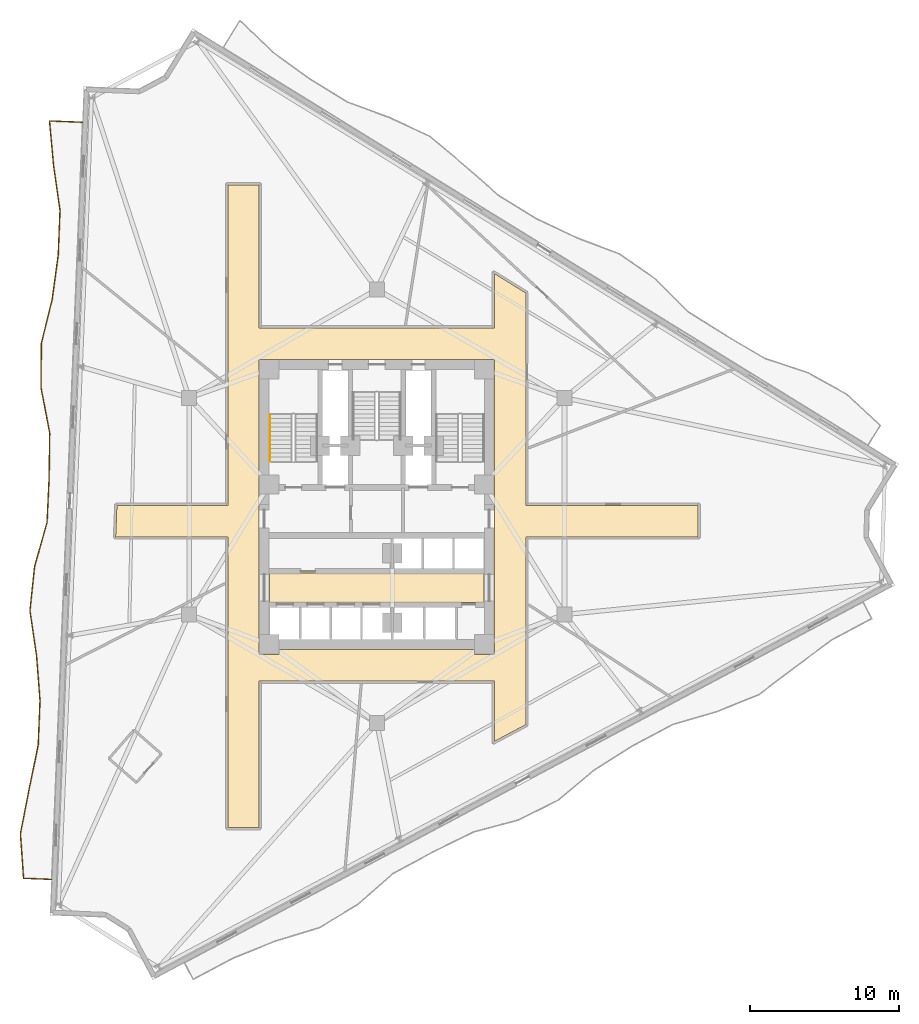
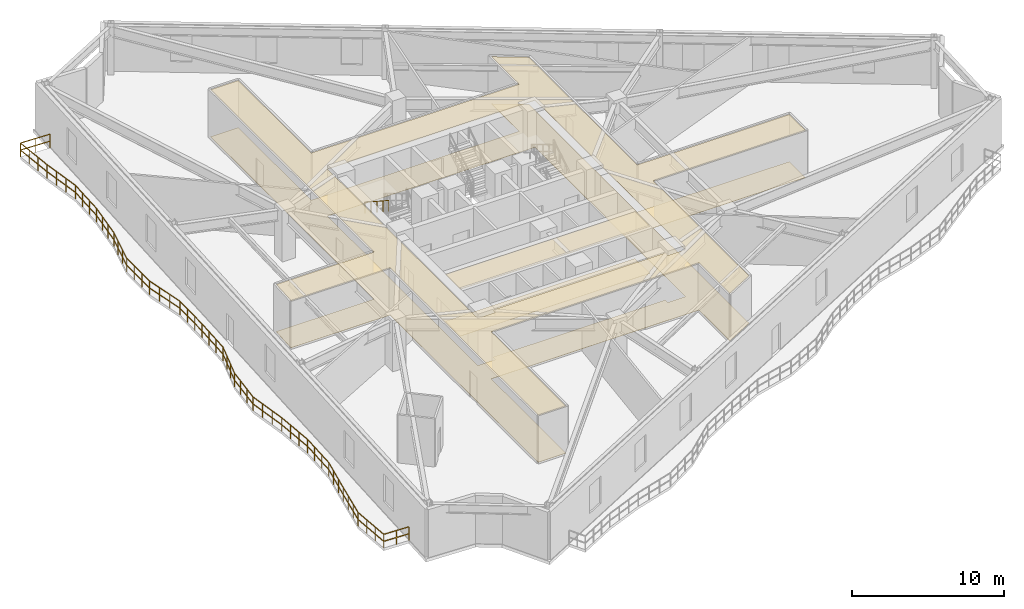
# One storey, part 10 of 12: 4 coverings, 2 railings.
"""IFC4 building model written with IfcOpenShell, lengths in metres."""

from ifc_helpers import new_model, si_unit, direction, frame, origin, origin_2d, place, context, subcontext, project, spatial, polyline, rectangle, outline, extrude, material, layer, layer_set, type_object, element, save


model = new_model("IFC4")

# Units and contexts
model_context = context("Model", 3, precision=1e-05, world=origin(), true_north=direction((0.0, 1.0)))
body_context = subcontext(model_context, "Body", "Model", "MODEL_VIEW")
ifc_project = project(units=[si_unit("LENGTHUNIT", "METRE"), si_unit("AREAUNIT", "SQUARE_METRE"), si_unit("VOLUMEUNIT", "CUBIC_METRE"), si_unit("PLANEANGLEUNIT", "RADIAN"), si_unit("MASSUNIT", "GRAM", prefix="KILO")], contexts=[model_context])

# Site, building, storey
site_placement = place(None, origin())
site = spatial("IfcSite", under=ifc_project, at=site_placement, CompositionType="ELEMENT")
building_placement = place(site_placement, origin())
building = spatial("IfcBuilding", under=site, at=building_placement, Name="Apsidion Concourse Tower", CompositionType="ELEMENT")
storey_placement = place(building_placement, frame((0.0, 0.0, 181.89990234375)))
storey = spatial("IfcBuildingStorey", under=building, at=storey_placement, Name="L42", CompositionType="ELEMENT", Elevation=181.89990234375)

# Coverings
ifc_material_1 = material(Name="Acoustic mineral fibre ceiling")
ifc_layer_1 = layer(ifc_material_1, 0.0400390625)
ifc_layer_set_1 = layer_set([ifc_layer_1], Name="Acoustic mineral fibre ceiling")
covering_type_1 = type_object("IfcCoveringType", Name="COV-CEIL-40", PredefinedType="CEILING", material=ifc_layer_set_1)
covering_1_placement = place(storey_placement, frame((0.0, 0.0, 3.75)))
element("IfcCovering", 1, at=covering_1_placement, inside=storey, type_object=covering_type_1, Name="L42 Acoustic Ceiling Grid 1", PredefinedType="CEILING", context=body_context, shape_type="SweptSolid", body=[
    extrude(outline(polyline([(-7.179931640625, -6.449951171875), (-7.179931640625, -4.47998046875), (7.179931640625, -4.47998046875), (7.179931640625, -6.449951171875), (-7.179931640625, -6.449951171875)])), origin(), (0.0, 0.0, 1.0), 0.0400390625),
])
covering_2_placement = place(storey_placement, frame((0.0, 0.0, 3.75)))
element("IfcCovering", 2, at=covering_2_placement, inside=storey, type_object=covering_type_1, Name="L42 Acoustic Ceiling Grid 2", PredefinedType="CEILING", context=body_context, shape_type="SweptSolid", body=[
    extrude(outline(polyline([(9.969970703125, -14.620849609375), (7.8701171875, -15.7373046875), (7.8701171875, -11.695068359375), (-7.8701171875, -11.695068359375), (-7.8701171875, -21.5), (-9.969970703125, -21.5), (-9.969970703125, -11.695068359375), (-9.969970703125, -2.050048828125), (-17.47314453125, -2.050048828125), (-17.387451171875, 0.050048828125), (-9.969970703125, 0.050048828125), (-9.969970703125, 11.919921875), (-9.969970703125, 21.5), (-7.8701171875, 21.5), (-7.8701171875, 11.919921875), (7.8701171875, 11.919921875), (7.8701171875, 15.559814453125), (9.969970703125, 14.264892578125), (9.969970703125, 11.919921875), (9.969970703125, 0.050048828125), (21.5, 0.050048828125), (21.5, -2.050048828125), (9.969970703125, -2.050048828125), (9.969970703125, -11.695068359375), (9.969970703125, -14.620849609375)]), holes=[polyline([(7.8701171875, -8.60009765625), (7.8701171875, -2.050048828125), (7.8701171875, 0.050048828125), (7.8701171875, 0.800048828125), (7.8701171875, 2.10009765625), (7.8701171875, 8.5), (7.8701171875, 9.800048828125), (7.8701171875, 9.820068359375), (7.85009765625, 9.820068359375), (6.550048828125, 9.820068359375), (-6.550048828125, 9.820068359375), (-7.85009765625, 9.820068359375), (-7.8701171875, 9.820068359375), (-7.8701171875, 9.800048828125), (-7.8701171875, 8.5), (-7.8701171875, 2.10009765625), (-7.8701171875, 0.800048828125), (-7.8701171875, 0.050048828125), (-7.8701171875, -2.050048828125), (-7.8701171875, -8.60009765625), (-7.8701171875, -9.594970703125), (-7.8701171875, -9.89990234375), (-7.869873046875, -9.902099609375), (-7.86962890625, -9.90380859375), (-7.869140625, -9.90576171875), (-7.868408203125, -9.90771484375), (-7.86767578125, -9.909423828125), (-7.86669921875, -9.9111328125), (-7.865478515625, -9.91259765625), (-7.864013671875, -9.9140625), (-7.86279296875, -9.91552734375), (-7.861083984375, -9.91650390625), (-7.859375, -9.91748046875), (-7.857666015625, -9.91845703125), (-7.855712890625, -9.919189453125), (-7.85400390625, -9.919677734375), (-7.85205078125, -9.919921875), (-7.85009765625, -9.919921875), (-6.550048828125, -9.919921875), (-6.548095703125, -9.919921875), (-6.546142578125, -9.919677734375), (-6.544189453125, -9.919189453125), (-6.542236328125, -9.91845703125), (-6.54052734375, -9.91748046875), (-6.538818359375, -9.91650390625), (-6.537353515625, -9.91552734375), (-6.535888671875, -9.9140625), (-6.534423828125, -9.91259765625), (-6.533447265625, -9.9111328125), (-6.532470703125, -9.909423828125), (-6.531494140625, -9.90771484375), (-6.531005859375, -9.90576171875), (-6.530517578125, -9.90380859375), (-6.530029296875, -9.902099609375), (-6.530029296875, -9.89990234375), (-6.530029296875, -9.594970703125), (6.530029296875, -9.594970703125), (6.530029296875, -9.89990234375), (6.530029296875, -9.902099609375), (6.530517578125, -9.90380859375), (6.531005859375, -9.90576171875), (6.531494140625, -9.90771484375), (6.532470703125, -9.909423828125), (6.533447265625, -9.9111328125), (6.534423828125, -9.91259765625), (6.535888671875, -9.9140625), (6.537353515625, -9.91552734375), (6.538818359375, -9.91650390625), (6.54052734375, -9.91748046875), (6.542236328125, -9.91845703125), (6.544189453125, -9.919189453125), (6.546142578125, -9.919677734375), (6.548095703125, -9.919921875), (6.550048828125, -9.919921875), (7.85009765625, -9.919921875), (7.85205078125, -9.919921875), (7.85400390625, -9.919677734375), (7.855712890625, -9.919189453125), (7.857666015625, -9.91845703125), (7.859375, -9.91748046875), (7.861083984375, -9.91650390625), (7.86279296875, -9.91552734375), (7.864013671875, -9.9140625), (7.865478515625, -9.91259765625), (7.86669921875, -9.9111328125), (7.86767578125, -9.909423828125), (7.868408203125, -9.90771484375), (7.869140625, -9.90576171875), (7.86962890625, -9.90380859375), (7.869873046875, -9.902099609375), (7.8701171875, -9.89990234375), (7.8701171875, -9.594970703125), (7.8701171875, -8.60009765625)])]), origin(), (0.0, 0.0, 1.0), 0.0400390625),
])
ifc_material_2 = material(Name="Honed travertine floor finish", Category="masonry")
ifc_layer_2 = layer(ifc_material_2, 0.02001953125)
ifc_layer_set_2 = layer_set([ifc_layer_2], Name="Honed travertine floor finish")
covering_type_2 = type_object("IfcCoveringType", Name="COV-FLOR-20", PredefinedType="FLOORING", material=ifc_layer_set_2)
covering_3_placement = place(storey_placement, origin())
element("IfcCovering", 3, at=covering_3_placement, inside=storey, type_object=covering_type_2, Name="L42 Honed Travertine Floor Finish 1", PredefinedType="FLOORING", context=body_context, shape_type="SweptSolid", body=[
    extrude(outline(polyline([(-7.179931640625, -6.449951171875), (-7.179931640625, -4.47998046875), (7.179931640625, -4.47998046875), (7.179931640625, -6.449951171875), (-7.179931640625, -6.449951171875)])), origin(), (0.0, 0.0, 1.0), 0.02001953125),
])
covering_4_placement = place(storey_placement, origin())
element("IfcCovering", 4, at=covering_4_placement, inside=storey, type_object=covering_type_2, Name="L42 Honed Travertine Floor Finish 2", PredefinedType="FLOORING", context=body_context, shape_type="SweptSolid", body=[
    extrude(outline(polyline([(9.969970703125, -14.620849609375), (7.8701171875, -15.7373046875), (7.8701171875, -11.695068359375), (-7.8701171875, -11.695068359375), (-7.8701171875, -21.5), (-9.969970703125, -21.5), (-9.969970703125, -11.695068359375), (-9.969970703125, -2.050048828125), (-17.47314453125, -2.050048828125), (-17.387451171875, 0.050048828125), (-9.969970703125, 0.050048828125), (-9.969970703125, 11.919921875), (-9.969970703125, 21.5), (-7.8701171875, 21.5), (-7.8701171875, 11.919921875), (7.8701171875, 11.919921875), (7.8701171875, 15.559814453125), (9.969970703125, 14.264892578125), (9.969970703125, 11.919921875), (9.969970703125, 0.050048828125), (21.5, 0.050048828125), (21.5, -2.050048828125), (9.969970703125, -2.050048828125), (9.969970703125, -11.695068359375), (9.969970703125, -14.620849609375)]), holes=[polyline([(7.8701171875, -8.60009765625), (7.8701171875, -2.050048828125), (7.8701171875, 0.050048828125), (7.8701171875, 0.800048828125), (7.8701171875, 2.10009765625), (7.8701171875, 8.5), (7.8701171875, 9.800048828125), (7.8701171875, 9.820068359375), (7.85009765625, 9.820068359375), (6.550048828125, 9.820068359375), (-6.550048828125, 9.820068359375), (-7.85009765625, 9.820068359375), (-7.8701171875, 9.820068359375), (-7.8701171875, 9.800048828125), (-7.8701171875, 8.5), (-7.8701171875, 2.10009765625), (-7.8701171875, 0.800048828125), (-7.8701171875, 0.050048828125), (-7.8701171875, -2.050048828125), (-7.8701171875, -8.60009765625), (-7.8701171875, -9.594970703125), (-7.8701171875, -9.89990234375), (-7.869873046875, -9.902099609375), (-7.86962890625, -9.90380859375), (-7.869140625, -9.90576171875), (-7.868408203125, -9.90771484375), (-7.86767578125, -9.909423828125), (-7.86669921875, -9.9111328125), (-7.865478515625, -9.91259765625), (-7.864013671875, -9.9140625), (-7.86279296875, -9.91552734375), (-7.861083984375, -9.91650390625), (-7.859375, -9.91748046875), (-7.857666015625, -9.91845703125), (-7.855712890625, -9.919189453125), (-7.85400390625, -9.919677734375), (-7.85205078125, -9.919921875), (-7.85009765625, -9.919921875), (-6.550048828125, -9.919921875), (-6.548095703125, -9.919921875), (-6.546142578125, -9.919677734375), (-6.544189453125, -9.919189453125), (-6.542236328125, -9.91845703125), (-6.54052734375, -9.91748046875), (-6.538818359375, -9.91650390625), (-6.537353515625, -9.91552734375), (-6.535888671875, -9.9140625), (-6.534423828125, -9.91259765625), (-6.533447265625, -9.9111328125), (-6.532470703125, -9.909423828125), (-6.531494140625, -9.90771484375), (-6.531005859375, -9.90576171875), (-6.530517578125, -9.90380859375), (-6.530029296875, -9.902099609375), (-6.530029296875, -9.89990234375), (-6.530029296875, -9.594970703125), (6.530029296875, -9.594970703125), (6.530029296875, -9.89990234375), (6.530029296875, -9.902099609375), (6.530517578125, -9.90380859375), (6.531005859375, -9.90576171875), (6.531494140625, -9.90771484375), (6.532470703125, -9.909423828125), (6.533447265625, -9.9111328125), (6.534423828125, -9.91259765625), (6.535888671875, -9.9140625), (6.537353515625, -9.91552734375), (6.538818359375, -9.91650390625), (6.54052734375, -9.91748046875), (6.542236328125, -9.91845703125), (6.544189453125, -9.919189453125), (6.546142578125, -9.919677734375), (6.548095703125, -9.919921875), (6.550048828125, -9.919921875), (7.85009765625, -9.919921875), (7.85205078125, -9.919921875), (7.85400390625, -9.919677734375), (7.855712890625, -9.919189453125), (7.857666015625, -9.91845703125), (7.859375, -9.91748046875), (7.861083984375, -9.91650390625), (7.86279296875, -9.91552734375), (7.864013671875, -9.9140625), (7.865478515625, -9.91259765625), (7.86669921875, -9.9111328125), (7.86767578125, -9.909423828125), (7.868408203125, -9.90771484375), (7.869140625, -9.90576171875), (7.86962890625, -9.90380859375), (7.869873046875, -9.902099609375), (7.8701171875, -9.89990234375), (7.8701171875, -9.594970703125), (7.8701171875, -8.60009765625)])]), origin(), (0.0, 0.0, 1.0), 0.02001953125),
])

# Railings
ifc_material_3 = material(Name="Brushed stainless steel 316", Category="steel")
railing_type_1 = type_object("IfcRailingType", Name="RL-BAL-1120", PredefinedType="BALUSTRADE", material=ifc_material_3)
railing_1_placement = place(storey_placement, frame((-21.777587890625, -24.97802734375, 0.0)))
element("IfcRailing", 5, at=railing_1_placement, inside=storey, type_object=railing_type_1, Name="L42 Face 1 Rippling Balcony Balustrade", PredefinedType="BALUSTRADE", context=body_context, shape_type="SweptSolid", body=[
    extrude(rectangle(XDim=0.048095703125, YDim=0.048095703125, at=origin_2d()), frame((0.0, 0.0, 1.09619140625), z_axis=(-0.999170989666, 0.040710359988, 0.0), x_axis=(-0.040710359988, -0.999170989666, 0.0)), (0.0, 0.0, 1.0), 1.864990234375),
    extrude(rectangle(XDim=0.048095703125, YDim=0.048095703125, at=origin_2d()), frame((0.0, 0.0, 0.5361328125), z_axis=(-0.999170989666, 0.040710359988, 0.0), x_axis=(-0.040710359988, -0.999170989666, 0.0)), (0.0, 0.0, 1.0), 1.864990234375),
    extrude(rectangle(XDim=0.048095703125, YDim=0.048095703125, at=origin_2d()), frame((-1.863525390625, 0.075927734375, 1.09619140625), z_axis=(-0.069628382838, 0.997572998985, 0.0), x_axis=(-0.997572998985, -0.069628382838, 0.0)), (0.0, 0.0, 1.0), 3.00146484375),
    extrude(rectangle(XDim=0.048095703125, YDim=0.048095703125, at=origin_2d()), frame((-1.863525390625, 0.075927734375, 0.5361328125), z_axis=(-0.069628382838, 0.997572998985, 0.0), x_axis=(-0.997572998985, -0.069628382838, 0.0)), (0.0, 0.0, 1.0), 3.00146484375),
    extrude(rectangle(XDim=0.048095703125, YDim=0.048095703125, at=origin_2d()), frame((-2.072509765625, 3.070068359375, 1.09619140625), z_axis=(0.192209774643, 0.981353862035, 0.0), x_axis=(-0.981353862035, 0.192209774643, 0.0)), (0.0, 0.0, 1.0), 3.017822265625),
    extrude(rectangle(XDim=0.048095703125, YDim=0.048095703125, at=origin_2d()), frame((-2.072509765625, 3.070068359375, 0.5361328125), z_axis=(0.192209774643, 0.981353862035, 0.0), x_axis=(-0.981353862035, 0.192209774643, 0.0)), (0.0, 0.0, 1.0), 3.017822265625),
    extrude(rectangle(XDim=0.048095703125, YDim=0.048095703125, at=origin_2d()), frame((-1.492431640625, 6.03173828125, 1.09619140625), z_axis=(0.201440969487, 0.979500656361, 0.0), x_axis=(-0.979500656361, 0.201440969487, 0.0)), (0.0, 0.0, 1.0), 3.022705078125),
    extrude(rectangle(XDim=0.048095703125, YDim=0.048095703125, at=origin_2d()), frame((-1.492431640625, 6.03173828125, 0.5361328125), z_axis=(0.201440969487, 0.979500656361, 0.0), x_axis=(-0.979500656361, 0.201440969487, 0.0)), (0.0, 0.0, 1.0), 3.022705078125),
    extrude(rectangle(XDim=0.048095703125, YDim=0.048095703125, at=origin_2d()), frame((-0.883544921875, 8.992431640625, 1.09619140625), z_axis=(0.040759023988, 0.999169005706, 0.0), x_axis=(-0.999169005706, 0.040759023988, 0.0)), (0.0, 0.0, 1.0), 2.98291015625),
    extrude(rectangle(XDim=0.048095703125, YDim=0.048095703125, at=origin_2d()), frame((-0.883544921875, 8.992431640625, 0.5361328125), z_axis=(0.040759023988, 0.999169005706, 0.0), x_axis=(-0.999169005706, 0.040759023988, 0.0)), (0.0, 0.0, 1.0), 2.98291015625),
    extrude(rectangle(XDim=0.048095703125, YDim=0.048095703125, at=origin_2d()), frame((-0.761962890625, 11.972900390625, 1.09619140625), z_axis=(-0.076565971749, 0.997064517456, 0.0), x_axis=(-0.997064517456, -0.076565971749, 0.0)), (0.0, 0.0, 1.0), 3.003662109375),
    extrude(rectangle(XDim=0.048095703125, YDim=0.048095703125, at=origin_2d()), frame((-0.761962890625, 11.972900390625, 0.5361328125), z_axis=(-0.076565971749, 0.997064517456, 0.0), x_axis=(-0.997064517456, -0.076565971749, 0.0)), (0.0, 0.0, 1.0), 3.003662109375),
    extrude(rectangle(XDim=0.048095703125, YDim=0.048095703125, at=origin_2d()), frame((-0.991943359375, 14.9677734375, 1.09619140625), z_axis=(-0.14586669249, 0.989304254525, 0.0), x_axis=(-0.989304254525, -0.14586669249, 0.0)), (0.0, 0.0, 1.0), 3.0361328125),
    extrude(rectangle(XDim=0.048095703125, YDim=0.048095703125, at=origin_2d()), frame((-0.991943359375, 14.9677734375, 0.5361328125), z_axis=(-0.14586669249, 0.989304254525, 0.0), x_axis=(-0.989304254525, -0.14586669249, 0.0)), (0.0, 0.0, 1.0), 3.0361328125),
    extrude(rectangle(XDim=0.048095703125, YDim=0.048095703125, at=origin_2d()), frame((-1.434814453125, 17.971435546875, 1.09619140625), z_axis=(0.103983174994, 0.994579056344, 0.0), x_axis=(-0.994579056344, 0.103983174994, 0.0)), (0.0, 0.0, 1.0), 2.98876953125),
    extrude(rectangle(XDim=0.048095703125, YDim=0.048095703125, at=origin_2d()), frame((-1.434814453125, 17.971435546875, 0.5361328125), z_axis=(0.103983174994, 0.994579056344, 0.0), x_axis=(-0.994579056344, 0.103983174994, 0.0)), (0.0, 0.0, 1.0), 2.98876953125),
    extrude(rectangle(XDim=0.048095703125, YDim=0.048095703125, at=origin_2d()), frame((-1.1240234375, 20.944091796875, 1.09619140625), z_axis=(0.271775909142, 0.962360564035, 0.0), x_axis=(-0.962360564035, 0.271775909142, 0.0)), (0.0, 0.0, 1.0), 3.06689453125),
    extrude(rectangle(XDim=0.048095703125, YDim=0.048095703125, at=origin_2d()), frame((-1.1240234375, 20.944091796875, 0.5361328125), z_axis=(0.271775909142, 0.962360564035, 0.0), x_axis=(-0.962360564035, 0.271775909142, 0.0)), (0.0, 0.0, 1.0), 3.06689453125),
    extrude(rectangle(XDim=0.048095703125, YDim=0.048095703125, at=origin_2d()), frame((-0.29052734375, 23.8955078125, 1.09619140625), z_axis=(0.04599796328, 0.998941533511, 0.0), x_axis=(-0.998941533511, 0.04599796328, 0.0)), (0.0, 0.0, 1.0), 2.98291015625),
    extrude(rectangle(XDim=0.048095703125, YDim=0.048095703125, at=origin_2d()), frame((-0.29052734375, 23.8955078125, 0.5361328125), z_axis=(0.04599796328, 0.998941533511, 0.0), x_axis=(-0.998941533511, 0.04599796328, 0.0)), (0.0, 0.0, 1.0), 2.98291015625),
    extrude(rectangle(XDim=0.048095703125, YDim=0.048095703125, at=origin_2d()), frame((-0.1533203125, 26.875244140625, 1.09619140625), z_axis=(0.014153385011, 0.99989983583, 0.0), x_axis=(-0.99989983583, 0.014153385011, 0.0)), (0.0, 0.0, 1.0), 2.984130859375),
    extrude(rectangle(XDim=0.048095703125, YDim=0.048095703125, at=origin_2d()), frame((-0.1533203125, 26.875244140625, 0.5361328125), z_axis=(0.014153385011, 0.99989983583, 0.0), x_axis=(-0.99989983583, 0.014153385011, 0.0)), (0.0, 0.0, 1.0), 2.984130859375),
    extrude(rectangle(XDim=0.048095703125, YDim=0.048095703125, at=origin_2d()), frame((-0.111083984375, 29.859130859375, 1.09619140625), z_axis=(-0.187925055808, 0.982183370557, 0.0), x_axis=(-0.982183370557, -0.187925055808, 0.0)), (0.0, 0.0, 1.0), 3.0634765625),
    extrude(rectangle(XDim=0.048095703125, YDim=0.048095703125, at=origin_2d()), frame((-0.111083984375, 29.859130859375, 0.5361328125), z_axis=(-0.187925055808, 0.982183370557, 0.0), x_axis=(-0.982183370557, -0.187925055808, 0.0)), (0.0, 0.0, 1.0), 3.0634765625),
    extrude(rectangle(XDim=0.048095703125, YDim=0.048095703125, at=origin_2d()), frame((-0.686767578125, 32.867919921875, 1.09619140625), z_axis=(0.002535157048, 0.999996786484, 0.0), x_axis=(-0.999996786484, 0.002535157048, 0.0)), (0.0, 0.0, 1.0), 2.9853515625),
    extrude(rectangle(XDim=0.048095703125, YDim=0.048095703125, at=origin_2d()), frame((-0.686767578125, 32.867919921875, 0.5361328125), z_axis=(0.002535157048, 0.999996786484, 0.0), x_axis=(-0.999996786484, 0.002535157048, 0.0)), (0.0, 0.0, 1.0), 2.9853515625),
    extrude(rectangle(XDim=0.048095703125, YDim=0.048095703125, at=origin_2d()), frame((-0.67919921875, 35.853271484375, 1.09619140625), z_axis=(0.239930908625, 0.970789966515, 0.0), x_axis=(-0.970789966515, 0.239930908625, 0.0)), (0.0, 0.0, 1.0), 3.04443359375),
    extrude(rectangle(XDim=0.048095703125, YDim=0.048095703125, at=origin_2d()), frame((-0.67919921875, 35.853271484375, 0.5361328125), z_axis=(0.239930908625, 0.970789966515, 0.0), x_axis=(-0.970789966515, 0.239930908625, 0.0)), (0.0, 0.0, 1.0), 3.04443359375),
    extrude(rectangle(XDim=0.048095703125, YDim=0.048095703125, at=origin_2d()), frame((0.05126953125, 38.808837890625, 1.09619140625), z_axis=(0.134927769401, 0.990855437006, 0.0), x_axis=(-0.990855437006, 0.134927769401, 0.0)), (0.0, 0.0, 1.0), 2.996337890625),
    extrude(rectangle(XDim=0.048095703125, YDim=0.048095703125, at=origin_2d()), frame((0.05126953125, 38.808837890625, 0.5361328125), z_axis=(0.134927769401, 0.990855437006, 0.0), x_axis=(-0.990855437006, 0.134927769401, 0.0)), (0.0, 0.0, 1.0), 2.996337890625),
    extrude(rectangle(XDim=0.048095703125, YDim=0.048095703125, at=origin_2d()), frame((0.45556640625, 41.77783203125, 1.09619140625), z_axis=(0.040759023988, 0.999169005706, 0.0), x_axis=(-0.999169005706, 0.040759023988, 0.0)), (0.0, 0.0, 1.0), 2.98291015625),
    extrude(rectangle(XDim=0.048095703125, YDim=0.048095703125, at=origin_2d()), frame((0.45556640625, 41.77783203125, 0.5361328125), z_axis=(0.040759023988, 0.999169005706, 0.0), x_axis=(-0.999169005706, 0.040759023988, 0.0)), (0.0, 0.0, 1.0), 2.98291015625),
    extrude(rectangle(XDim=0.048095703125, YDim=0.048095703125, at=origin_2d()), frame((0.5771484375, 44.75830078125, 1.09619140625), z_axis=(-0.141883286424, 0.989883393655, 0.0), x_axis=(-0.989883393655, -0.141883286424, 0.0)), (0.0, 0.0, 1.0), 3.03369140625),
    extrude(rectangle(XDim=0.048095703125, YDim=0.048095703125, at=origin_2d()), frame((0.5771484375, 44.75830078125, 0.5361328125), z_axis=(-0.141883286424, 0.989883393655, 0.0), x_axis=(-0.989883393655, -0.141883286424, 0.0)), (0.0, 0.0, 1.0), 3.03369140625),
    extrude(rectangle(XDim=0.048095703125, YDim=0.048095703125, at=origin_2d()), frame((0.146728515625, 47.76123046875, 1.09619140625), z_axis=(-0.091428086763, 0.995811681469, 0.0), x_axis=(-0.995811681469, -0.091428086763, 0.0)), (0.0, 0.0, 1.0), 3.009521484375),
    extrude(rectangle(XDim=0.048095703125, YDim=0.048095703125, at=origin_2d()), frame((0.146728515625, 47.76123046875, 0.5361328125), z_axis=(-0.091428086763, 0.995811681469, 0.0), x_axis=(-0.995811681469, -0.091428086763, 0.0)), (0.0, 0.0, 1.0), 3.009521484375),
    extrude(rectangle(XDim=0.048095703125, YDim=0.048095703125, at=origin_2d()), frame((-0.12841796875, 50.758056640625, 1.09619140625), z_axis=(0.999165651773, -0.040841159597, 0.0), x_axis=(0.040841159597, 0.999165651773, 0.0)), (0.0, 0.0, 1.0), 2.199951171875),
    extrude(rectangle(XDim=0.048095703125, YDim=0.048095703125, at=origin_2d()), frame((-0.12841796875, 50.758056640625, 0.5361328125), z_axis=(0.999165651773, -0.040841159597, 0.0), x_axis=(0.040841159597, 0.999165651773, 0.0)), (0.0, 0.0, 1.0), 2.199951171875),
    extrude(rectangle(XDim=0.0419921875, YDim=0.0419921875, at=origin_2d()), origin(), (0.0, 0.0, 1.0), 1.072021484375),
    extrude(rectangle(XDim=0.0419921875, YDim=0.0419921875, at=origin_2d()), frame((-0.931640625, 0.0380859375, 0.0)), (0.0, 0.0, 1.0), 1.072021484375),
    extrude(rectangle(XDim=0.0419921875, YDim=0.0419921875, at=origin_2d()), frame((-1.863525390625, 0.075927734375, 0.0)), (0.0, 0.0, 1.0), 1.072021484375),
    extrude(rectangle(XDim=0.0419921875, YDim=0.0419921875, at=origin_2d()), frame((-1.93310546875, 1.073974609375, 0.0)), (0.0, 0.0, 1.0), 1.072021484375),
    extrude(rectangle(XDim=0.0419921875, YDim=0.0419921875, at=origin_2d()), frame((-2.0029296875, 2.072021484375, 0.0)), (0.0, 0.0, 1.0), 1.072021484375),
    extrude(rectangle(XDim=0.0419921875, YDim=0.0419921875, at=origin_2d()), frame((-2.072509765625, 3.070068359375, 0.0)), (0.0, 0.0, 1.0), 1.072021484375),
    extrude(rectangle(XDim=0.0419921875, YDim=0.0419921875, at=origin_2d()), frame((-1.879150390625, 4.057373046875, 0.0)), (0.0, 0.0, 1.0), 1.072021484375),
    extrude(rectangle(XDim=0.0419921875, YDim=0.0419921875, at=origin_2d()), frame((-1.685791015625, 5.04443359375, 0.0)), (0.0, 0.0, 1.0), 1.072021484375),
    extrude(rectangle(XDim=0.0419921875, YDim=0.0419921875, at=origin_2d()), frame((-1.492431640625, 6.03173828125, 0.0)), (0.0, 0.0, 1.0), 1.072021484375),
    extrude(rectangle(XDim=0.0419921875, YDim=0.0419921875, at=origin_2d()), frame((-1.28955078125, 7.0185546875, 0.0)), (0.0, 0.0, 1.0), 1.072021484375),
    extrude(rectangle(XDim=0.0419921875, YDim=0.0419921875, at=origin_2d()), frame((-1.08642578125, 8.005615234375, 0.0)), (0.0, 0.0, 1.0), 1.072021484375),
    extrude(rectangle(XDim=0.0419921875, YDim=0.0419921875, at=origin_2d()), frame((-0.883544921875, 8.992431640625, 0.0)), (0.0, 0.0, 1.0), 1.072021484375),
    extrude(rectangle(XDim=0.0419921875, YDim=0.0419921875, at=origin_2d()), frame((-0.843017578125, 9.98583984375, 0.0)), (0.0, 0.0, 1.0), 1.072021484375),
    extrude(rectangle(XDim=0.0419921875, YDim=0.0419921875, at=origin_2d()), frame((-0.802490234375, 10.9794921875, 0.0)), (0.0, 0.0, 1.0), 1.072021484375),
    extrude(rectangle(XDim=0.0419921875, YDim=0.0419921875, at=origin_2d()), frame((-0.761962890625, 11.972900390625, 0.0)), (0.0, 0.0, 1.0), 1.072021484375),
    extrude(rectangle(XDim=0.0419921875, YDim=0.0419921875, at=origin_2d()), frame((-0.838623046875, 12.97119140625, 0.0)), (0.0, 0.0, 1.0), 1.072021484375),
    extrude(rectangle(XDim=0.0419921875, YDim=0.0419921875, at=origin_2d()), frame((-0.915283203125, 13.969482421875, 0.0)), (0.0, 0.0, 1.0), 1.072021484375),
    extrude(rectangle(XDim=0.0419921875, YDim=0.0419921875, at=origin_2d()), frame((-0.991943359375, 14.9677734375, 0.0)), (0.0, 0.0, 1.0), 1.072021484375),
    extrude(rectangle(XDim=0.0419921875, YDim=0.0419921875, at=origin_2d()), frame((-1.1396484375, 15.968994140625, 0.0)), (0.0, 0.0, 1.0), 1.072021484375),
    extrude(rectangle(XDim=0.0419921875, YDim=0.0419921875, at=origin_2d()), frame((-1.287109375, 16.97021484375, 0.0)), (0.0, 0.0, 1.0), 1.072021484375),
    extrude(rectangle(XDim=0.0419921875, YDim=0.0419921875, at=origin_2d()), frame((-1.434814453125, 17.971435546875, 0.0)), (0.0, 0.0, 1.0), 1.072021484375),
    extrude(rectangle(XDim=0.0419921875, YDim=0.0419921875, at=origin_2d()), frame((-1.331298828125, 18.96240234375, 0.0)), (0.0, 0.0, 1.0), 1.072021484375),
    extrude(rectangle(XDim=0.0419921875, YDim=0.0419921875, at=origin_2d()), frame((-1.2275390625, 19.953125, 0.0)), (0.0, 0.0, 1.0), 1.072021484375),
    extrude(rectangle(XDim=0.0419921875, YDim=0.0419921875, at=origin_2d()), frame((-1.1240234375, 20.944091796875, 0.0)), (0.0, 0.0, 1.0), 1.072021484375),
    extrude(rectangle(XDim=0.0419921875, YDim=0.0419921875, at=origin_2d()), frame((-0.84619140625, 21.927978515625, 0.0)), (0.0, 0.0, 1.0), 1.072021484375),
    extrude(rectangle(XDim=0.0419921875, YDim=0.0419921875, at=origin_2d()), frame((-0.568359375, 22.91162109375, 0.0)), (0.0, 0.0, 1.0), 1.072021484375),
    extrude(rectangle(XDim=0.0419921875, YDim=0.0419921875, at=origin_2d()), frame((-0.29052734375, 23.8955078125, 0.0)), (0.0, 0.0, 1.0), 1.072021484375),
    extrude(rectangle(XDim=0.0419921875, YDim=0.0419921875, at=origin_2d()), frame((-0.244873046875, 24.888671875, 0.0)), (0.0, 0.0, 1.0), 1.072021484375),
    extrude(rectangle(XDim=0.0419921875, YDim=0.0419921875, at=origin_2d()), frame((-0.198974609375, 25.882080078125, 0.0)), (0.0, 0.0, 1.0), 1.072021484375),
    extrude(rectangle(XDim=0.0419921875, YDim=0.0419921875, at=origin_2d()), frame((-0.1533203125, 26.875244140625, 0.0)), (0.0, 0.0, 1.0), 1.072021484375),
    extrude(rectangle(XDim=0.0419921875, YDim=0.0419921875, at=origin_2d()), frame((-0.13916015625, 27.869873046875, 0.0)), (0.0, 0.0, 1.0), 1.072021484375),
    extrude(rectangle(XDim=0.0419921875, YDim=0.0419921875, at=origin_2d()), frame((-0.125244140625, 28.864501953125, 0.0)), (0.0, 0.0, 1.0), 1.072021484375),
    extrude(rectangle(XDim=0.0419921875, YDim=0.0419921875, at=origin_2d()), frame((-0.111083984375, 29.859130859375, 0.0)), (0.0, 0.0, 1.0), 1.072021484375),
    extrude(rectangle(XDim=0.0419921875, YDim=0.0419921875, at=origin_2d()), frame((-0.302978515625, 30.862060546875, 0.0)), (0.0, 0.0, 1.0), 1.072021484375),
    extrude(rectangle(XDim=0.0419921875, YDim=0.0419921875, at=origin_2d()), frame((-0.494873046875, 31.864990234375, 0.0)), (0.0, 0.0, 1.0), 1.072021484375),
    extrude(rectangle(XDim=0.0419921875, YDim=0.0419921875, at=origin_2d()), frame((-0.686767578125, 32.867919921875, 0.0)), (0.0, 0.0, 1.0), 1.072021484375),
    extrude(rectangle(XDim=0.0419921875, YDim=0.0419921875, at=origin_2d()), frame((-0.684326171875, 33.863037109375, 0.0)), (0.0, 0.0, 1.0), 1.072021484375),
    extrude(rectangle(XDim=0.0419921875, YDim=0.0419921875, at=origin_2d()), frame((-0.681640625, 34.858154296875, 0.0)), (0.0, 0.0, 1.0), 1.072021484375),
    extrude(rectangle(XDim=0.0419921875, YDim=0.0419921875, at=origin_2d()), frame((-0.67919921875, 35.853271484375, 0.0)), (0.0, 0.0, 1.0), 1.072021484375),
    extrude(rectangle(XDim=0.0419921875, YDim=0.0419921875, at=origin_2d()), frame((-0.435791015625, 36.83837890625, 0.0)), (0.0, 0.0, 1.0), 1.072021484375),
    extrude(rectangle(XDim=0.0419921875, YDim=0.0419921875, at=origin_2d()), frame((-0.192138671875, 37.82373046875, 0.0)), (0.0, 0.0, 1.0), 1.072021484375),
    extrude(rectangle(XDim=0.0419921875, YDim=0.0419921875, at=origin_2d()), frame((0.05126953125, 38.808837890625, 0.0)), (0.0, 0.0, 1.0), 1.072021484375),
    extrude(rectangle(XDim=0.0419921875, YDim=0.0419921875, at=origin_2d()), frame((0.18603515625, 39.798583984375, 0.0)), (0.0, 0.0, 1.0), 1.072021484375),
    extrude(rectangle(XDim=0.0419921875, YDim=0.0419921875, at=origin_2d()), frame((0.32080078125, 40.7880859375, 0.0)), (0.0, 0.0, 1.0), 1.072021484375),
    extrude(rectangle(XDim=0.0419921875, YDim=0.0419921875, at=origin_2d()), frame((0.45556640625, 41.77783203125, 0.0)), (0.0, 0.0, 1.0), 1.072021484375),
    extrude(rectangle(XDim=0.0419921875, YDim=0.0419921875, at=origin_2d()), frame((0.49609375, 42.771240234375, 0.0)), (0.0, 0.0, 1.0), 1.072021484375),
    extrude(rectangle(XDim=0.0419921875, YDim=0.0419921875, at=origin_2d()), frame((0.53662109375, 43.764892578125, 0.0)), (0.0, 0.0, 1.0), 1.072021484375),
    extrude(rectangle(XDim=0.0419921875, YDim=0.0419921875, at=origin_2d()), frame((0.5771484375, 44.75830078125, 0.0)), (0.0, 0.0, 1.0), 1.072021484375),
    extrude(rectangle(XDim=0.0419921875, YDim=0.0419921875, at=origin_2d()), frame((0.43359375, 45.75927734375, 0.0)), (0.0, 0.0, 1.0), 1.072021484375),
    extrude(rectangle(XDim=0.0419921875, YDim=0.0419921875, at=origin_2d()), frame((0.290283203125, 46.76025390625, 0.0)), (0.0, 0.0, 1.0), 1.072021484375),
    extrude(rectangle(XDim=0.0419921875, YDim=0.0419921875, at=origin_2d()), frame((0.146728515625, 47.76123046875, 0.0)), (0.0, 0.0, 1.0), 1.072021484375),
    extrude(rectangle(XDim=0.0419921875, YDim=0.0419921875, at=origin_2d()), frame((0.054931640625, 48.76025390625, 0.0)), (0.0, 0.0, 1.0), 1.072021484375),
    extrude(rectangle(XDim=0.0419921875, YDim=0.0419921875, at=origin_2d()), frame((-0.03662109375, 49.759033203125, 0.0)), (0.0, 0.0, 1.0), 1.072021484375),
    extrude(rectangle(XDim=0.0419921875, YDim=0.0419921875, at=origin_2d()), frame((-0.12841796875, 50.758056640625, 0.0)), (0.0, 0.0, 1.0), 1.072021484375),
    extrude(rectangle(XDim=0.0419921875, YDim=0.0419921875, at=origin_2d()), frame((0.970703125, 50.713134765625, 0.0)), (0.0, 0.0, 1.0), 1.072021484375),
    extrude(rectangle(XDim=0.0419921875, YDim=0.0419921875, at=origin_2d()), frame((2.069580078125, 50.668212890625, 0.0)), (0.0, 0.0, 1.0), 1.072021484375),
])
railing_type_2 = type_object("IfcRailingType", Name="RL-HAND-900", PredefinedType="HANDRAIL", material=ifc_material_3)
railing_2_placement = place(storey_placement, frame((-7.14990234375, 6.135009765625, 2.220947265625)))
element("IfcRailing", 6, at=railing_2_placement, inside=storey, type_object=railing_type_2, Name="L42 ST1 stair handrail 2", PredefinedType="HANDRAIL", context=body_context, shape_type="SweptSolid", body=[
    extrude(rectangle(XDim=0.048095703125, YDim=0.048095703125, at=origin_2d()), frame((0.0, 0.0, 0.8759765625), z_axis=(0.0, -0.836940907821, 0.547293263996), x_axis=(1.0, 0.0, 0.0)), (0.0, 0.0, 1.0), 3.745849609375),
    extrude(rectangle(XDim=0.0419921875, YDim=0.0419921875, at=origin_2d()), origin(), (0.0, 0.0, 1.0), 0.851806640625),
    extrude(rectangle(XDim=0.0419921875, YDim=0.0419921875, at=origin_2d()), frame((0.0, -0.78369140625, 0.512451171875)), (0.0, 0.0, 1.0), 0.851806640625),
    extrude(rectangle(XDim=0.0419921875, YDim=0.0419921875, at=origin_2d()), frame((0.0, -1.5673828125, 1.02490234375)), (0.0, 0.0, 1.0), 0.851806640625),
    extrude(rectangle(XDim=0.0419921875, YDim=0.0419921875, at=origin_2d()), frame((0.0, -2.351318359375, 1.53759765625)), (0.0, 0.0, 1.0), 0.851806640625),
    extrude(rectangle(XDim=0.0419921875, YDim=0.0419921875, at=origin_2d()), frame((0.0, -3.135009765625, 2.050048828125)), (0.0, 0.0, 1.0), 0.851806640625),
])

save(model, "model.ifc")
